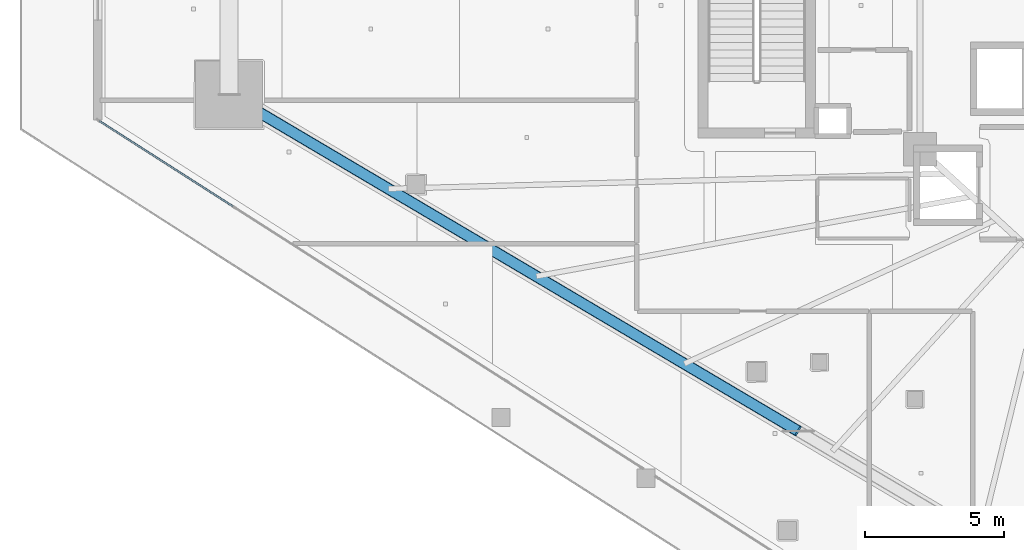
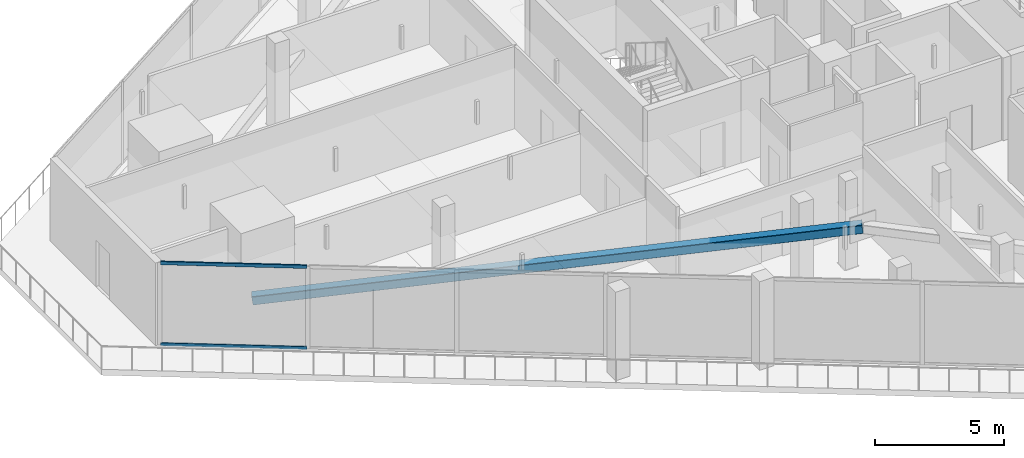
# One storey, part 4 of 52: 3 members, 1 element without a shape of its own.
"""IFC4 building model written with IfcOpenShell, lengths in metres."""

from ifc_helpers import new_model, si_unit, direction, frame, origin, origin_2d, place, context, subcontext, project, spatial, hollow_rectangle, extrude, material, layer, layer_set, material_profile, profile_set, type_object, element, aggregate, save


model = new_model("IFC4")

# Units and contexts
model_context = context("Model", 3, precision=1e-05, world=origin(), true_north=direction((0.0, 1.0)))
body_context = subcontext(model_context, "Body", "Model", "MODEL_VIEW")
ifc_project = project(units=[si_unit("LENGTHUNIT", "METRE"), si_unit("AREAUNIT", "SQUARE_METRE"), si_unit("VOLUMEUNIT", "CUBIC_METRE"), si_unit("PLANEANGLEUNIT", "RADIAN"), si_unit("MASSUNIT", "GRAM", prefix="KILO")], contexts=[model_context])

# Site, building, storey
site_placement = place(None, origin())
site = spatial("IfcSite", under=ifc_project, at=site_placement, CompositionType="ELEMENT")
building_placement = place(site_placement, origin())
building = spatial("IfcBuilding", under=site, at=building_placement, Name="Qorvath Tower", CompositionType="ELEMENT")
storey_placement = place(building_placement, frame((0.0, 0.0, 61.800048828125)))
storey = spatial("IfcBuildingStorey", under=building, at=storey_placement, Name="L13", CompositionType="ELEMENT", Elevation=61.800048828125)

# Curtain wall, members
ifc_material_1 = material(Name="Anodised aluminium and triple low-E glass", Category="aluminium")
ifc_layer = layer(ifc_material_1, 0.179931640625)
ifc_layer_set = layer_set([ifc_layer], Name="CW-SYS-2")
curtain_wall_type = type_object("IfcCurtainWallType", Name="CW-SYS-2", PredefinedType="NOTDEFINED", material=ifc_layer_set)
curtain_wall_placement = place(storey_placement, origin())
curtain_wall = element("IfcCurtainWall", 1, at=curtain_wall_placement, inside=storey, type_object=curtain_wall_type, Name="Curtain Wall CW-2 CW-T-L13-2.1", PredefinedType="NOTDEFINED")
ifc_material_2 = material(Name="Anodised aluminium 6063-T6", Category="aluminium")
ifc_material_profile_1 = material_profile(ifc_material_2, hollow_rectangle(XDim=0.06494140625, YDim=0.159912109375, WallThickness=0.00341796875, InnerFilletRadius=0.00341796875, OuterFilletRadius=0.007080078125, at=origin_2d()), Name="CWT 160x65")
ifc_profile_set_1 = profile_set([ifc_material_profile_1], Name="Anodised aluminium 6063-T6")
member_type_1 = type_object("IfcMemberType", Name="CWT-160", PredefinedType="USERDEFINED", material=ifc_profile_set_1)
member_1_placement = place(storey_placement, frame((-59.943603515625, -4.13818359375, 0.032470703125), z_axis=(0.842608218997, -0.538527055289, 0.0), x_axis=(0.538527055289, 0.842608218997, 0.0)))
member_1 = element("IfcMember", 2, at=member_1_placement, type_object=member_type_1, Name="CW-2 transom 1.1", ObjectType="TRANSOM", PredefinedType="USERDEFINED", context=body_context, shape_type="SweptSolid", body=[
    extrude(hollow_rectangle(XDim=0.06494140625, YDim=0.159912109375, WallThickness=0.00341796875, InnerFilletRadius=0.00341796875, OuterFilletRadius=0.007080078125, at=origin_2d()), origin(), (0.0, 0.0, 1.0), 5.697265625),
])
member_2_placement = place(storey_placement, frame((-59.943603515625, -4.13818359375, 3.887451171875), z_axis=(0.842608218997, -0.538527055289, 0.0), x_axis=(0.538527055289, 0.842608218997, 0.0)))
member_2 = element("IfcMember", 3, at=member_2_placement, type_object=member_type_1, Name="CW-2 transom 1.2", ObjectType="TRANSOM", PredefinedType="USERDEFINED", context=body_context, shape_type="SweptSolid", body=[
    extrude(hollow_rectangle(XDim=0.06494140625, YDim=0.159912109375, WallThickness=0.00341796875, InnerFilletRadius=0.00341796875, OuterFilletRadius=0.007080078125, at=origin_2d()), origin(), (0.0, 0.0, 1.0), 5.697265625),
])
aggregate(curtain_wall, [member_1, member_2])

# Member
ifc_material_3 = material(Name="Steel ASTM A500 Grade C", Category="steel")
ifc_material_profile_2 = material_profile(ifc_material_3, hollow_rectangle(XDim=0.406494140625, YDim=0.406494140625, WallThickness=0.015869140625, InnerFilletRadius=0.015869140625, OuterFilletRadius=0.03173828125, at=origin_2d()), Name="HSS 406x406x16")
ifc_profile_set_2 = profile_set([ifc_material_profile_2], Name="Steel ASTM A500 Grade C")
member_type_2 = type_object("IfcMemberType", Name="MEM-MB1", PredefinedType="BRACE", material=ifc_profile_set_2)
member_3_placement = place(storey_placement, frame((-55.282958984375, -3.194580078125, 0.0), z_axis=(0.85118128098, -0.503310468206, 0.148892577058), x_axis=(0.50898392026, 0.86077602715, 0.0)))
element("IfcMember", 4, at=member_3_placement, inside=storey, type_object=member_type_2, Name="Perimeter Chevron Brace L13-2A", PredefinedType="BRACE", context=body_context, shape_type="SweptSolid", body=[
    extrude(hollow_rectangle(XDim=0.406494140625, YDim=0.406494140625, WallThickness=0.015869140625, InnerFilletRadius=0.015869140625, OuterFilletRadius=0.03173828125, at=origin_2d()), origin(), (0.0, 0.0, 1.0), 23.9775390625),
])

save(model, "model.ifc")
